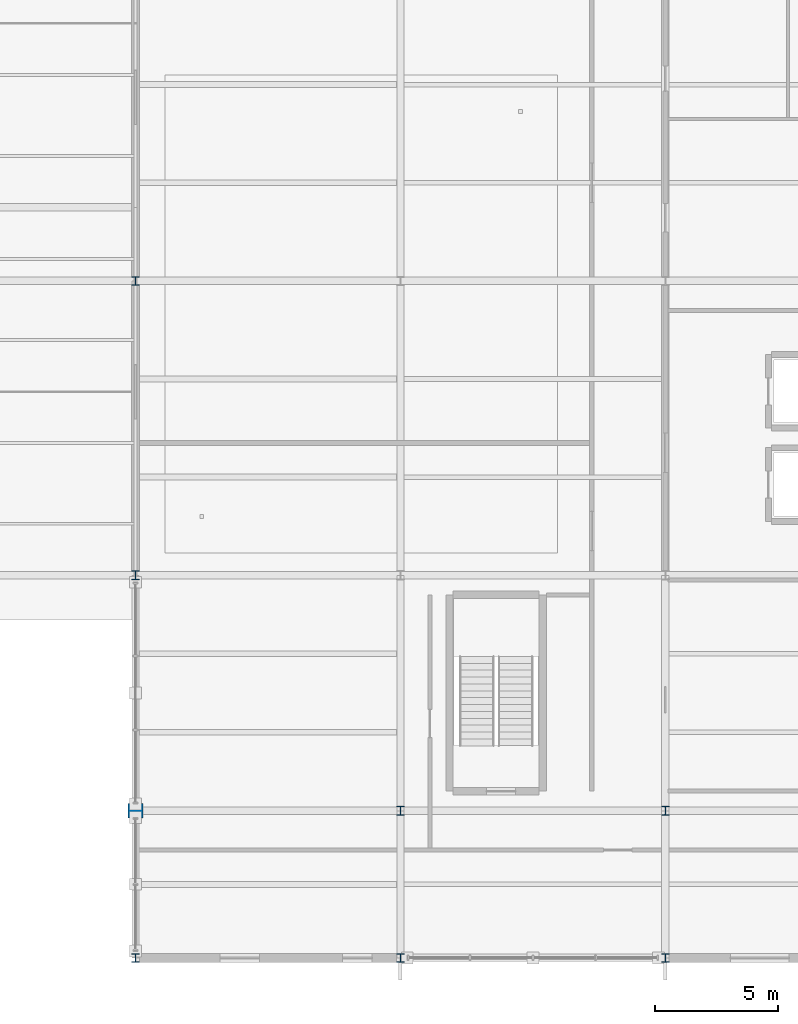
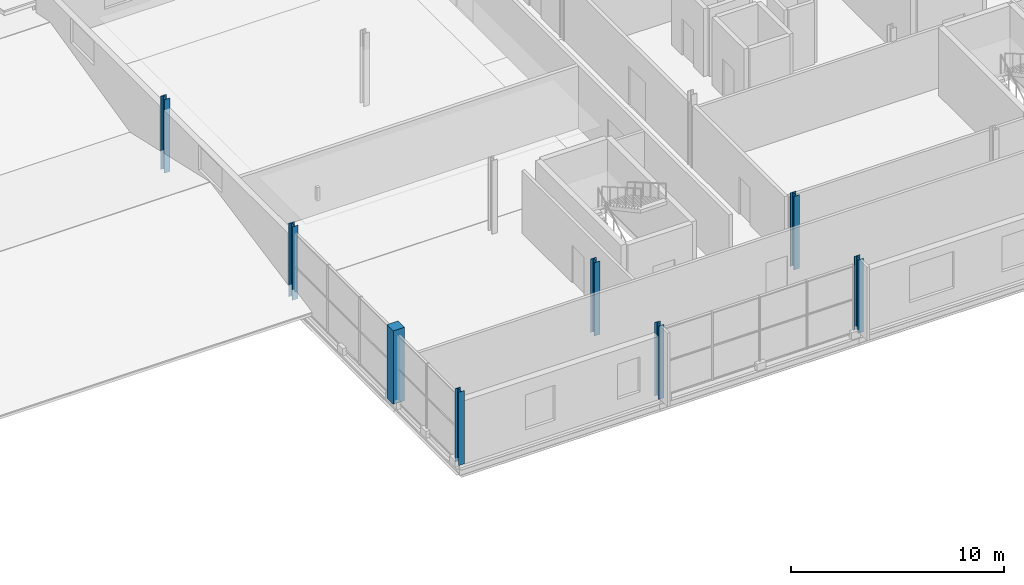
# One storey, part 14 of 117: 8 columns.
"""IFC4 building model written with IfcOpenShell, lengths in metres."""

from ifc_helpers import new_model, si_unit, direction, frame, origin, origin_2d, place, context, subcontext, project, spatial, rectangle, i_section, extrude, material, material_profile, profile_set, type_object, element, save


model = new_model("IFC4")

# Units and contexts
model_context = context("Model", 3, precision=1e-05, world=origin(), true_north=direction((0.0, 1.0)))
body_context = subcontext(model_context, "Body", "Model", "MODEL_VIEW")
ifc_project = project(units=[si_unit("LENGTHUNIT", "METRE"), si_unit("AREAUNIT", "SQUARE_METRE"), si_unit("VOLUMEUNIT", "CUBIC_METRE"), si_unit("PLANEANGLEUNIT", "RADIAN"), si_unit("MASSUNIT", "GRAM", prefix="KILO")], contexts=[model_context])

# Site, building, storey
site_placement = place(None, origin())
site = spatial("IfcSite", under=ifc_project, at=site_placement, CompositionType="ELEMENT")
building_placement = place(site_placement, origin())
building = spatial("IfcBuilding", under=site, at=building_placement, Name="Merenkruunu Market Hall", CompositionType="ELEMENT")
storey_placement = place(building_placement, frame((0.0, 0.0, 10.199951171875)))
storey = spatial("IfcBuildingStorey", under=building, at=storey_placement, Name="L02", CompositionType="ELEMENT", Elevation=10.199951171875)

# Columns
ifc_material_1 = material(Name="Steel S355J2", Category="steel")
ifc_material_profile_1 = material_profile(ifc_material_1, i_section(OverallWidth=0.300048828125, OverallDepth=0.360107421875, WebThickness=0.012451171875, FlangeThickness=0.0224609375, FilletRadius=0.027099609375, at=origin_2d()), Name="HEB 360")
ifc_profile_set_1 = profile_set([ifc_material_profile_1], Name="Steel S355J2")
column_type_1 = type_object("IfcColumnType", Name="Structural Column C04", PredefinedType="COLUMN", material=ifc_profile_set_1)
for number, where, z_axis, x_axis, name in (
    (1, (159.60009765625, 0.0, 0.0), (0.0, 0.0, 1.0), (1.0, 0.0, 0.0), "COL-L02-R-01"),
    (2, (159.60009765625, 6.0, 0.0), (0.0, 0.0, 1.0), (1.0, 0.0, 0.0), "COL-L02-R-02"),
    (3, (170.39990234375, 0.0, 0.0), (0.0, 0.0, 1.0), (1.0, 0.0, 0.0), "COL-L02-S-01"),
    (4, (170.39990234375, 6.0, 0.0), (0.0, 0.0, 1.0), (1.0, 0.0, 0.0), "COL-L02-S-02"),
):
    element("IfcColumn", number, at=place(storey_placement, frame(where, z_axis=z_axis, x_axis=x_axis)), inside=storey, type_object=column_type_1, Name=name, PredefinedType="COLUMN", context=body_context, shape_type="SweptSolid", body=[
        extrude(i_section(OverallWidth=0.300048828125, OverallDepth=0.360107421875, WebThickness=0.012451171875, FlangeThickness=0.0224609375, FilletRadius=0.027099609375, at=origin_2d()), origin(), (0.0, 0.0, 1.0), 4.199951171875),
    ])
ifc_material_profile_2 = material_profile(ifc_material_1, i_section(OverallWidth=0.300048828125, OverallDepth=0.35009765625, WebThickness=0.010009765625, FlangeThickness=0.017578125, FilletRadius=0.027099609375, at=origin_2d()), Name="HEA 360")
ifc_profile_set_2 = profile_set([ifc_material_profile_2], Name="Steel S355J2")
column_type_2 = type_object("IfcColumnType", Name="Structural Column C08", PredefinedType="COLUMN", material=ifc_profile_set_2)
for number, where, z_axis, x_axis, name in (
    (5, (148.800048828125, 0.0, 0.0), (0.0, 0.0, 1.0), (1.0, 0.0, 0.0), "COL-L02-Q-01"),
    (6, (148.800048828125, 15.60009765625, 0.0), (0.0, 0.0, 1.0), (1.0, 0.0, 0.0), "COL-L02-Q-03"),
    (7, (148.800048828125, 27.60009765625, 0.0), (0.0, 0.0, 1.0), (1.0, 0.0, 0.0), "COL-L02-Q-04"),
):
    element("IfcColumn", number, at=place(storey_placement, frame(where, z_axis=z_axis, x_axis=x_axis)), inside=storey, type_object=column_type_2, Name=name, PredefinedType="COLUMN", context=body_context, shape_type="SweptSolid", body=[
        extrude(i_section(OverallWidth=0.300048828125, OverallDepth=0.35009765625, WebThickness=0.010009765625, FlangeThickness=0.017578125, FilletRadius=0.027099609375, at=origin_2d()), origin(), (0.0, 0.0, 1.0), 4.199951171875),
    ])
ifc_material_2 = material(Name="Concrete C35/45", Category="concrete")
ifc_material_profile_3 = material_profile(ifc_material_2, rectangle(XDim=0.60009765625, YDim=0.60009765625, at=origin_2d()), Name="RC 600x600")
ifc_profile_set_3 = profile_set([ifc_material_profile_3], Name="Concrete C35/45")
column_type_3 = type_object("IfcColumnType", Name="Structural Column C17", PredefinedType="COLUMN", material=ifc_profile_set_3)
column_placement = place(storey_placement, frame((148.800048828125, 6.0, 0.0), z_axis=(0.0, 0.0, 1.0), x_axis=(1.0, 0.0, 0.0)))
element("IfcColumn", 8, at=column_placement, inside=storey, type_object=column_type_3, Name="COL-L02-Q-02", PredefinedType="COLUMN", context=body_context, shape_type="SweptSolid", body=[
    extrude(rectangle(XDim=0.60009765625, YDim=0.60009765625, at=origin_2d()), origin(), (0.0, 0.0, 1.0), 4.199951171875),
])

save(model, "model.ifc")
